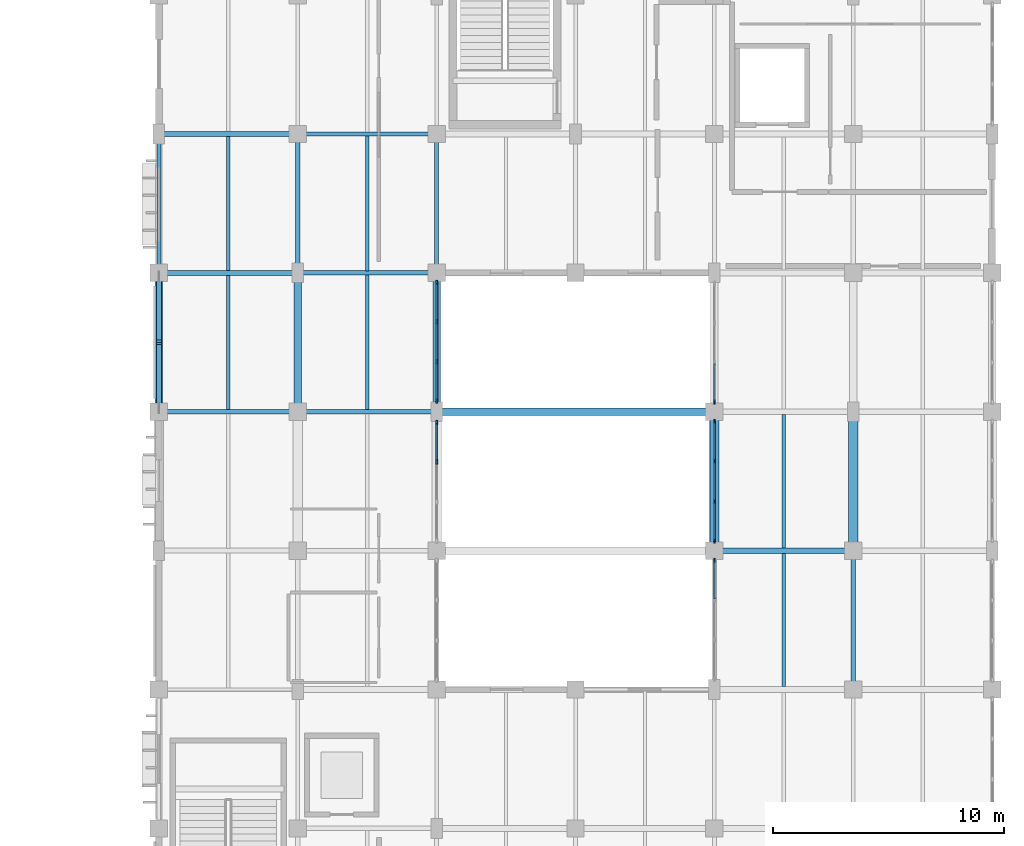
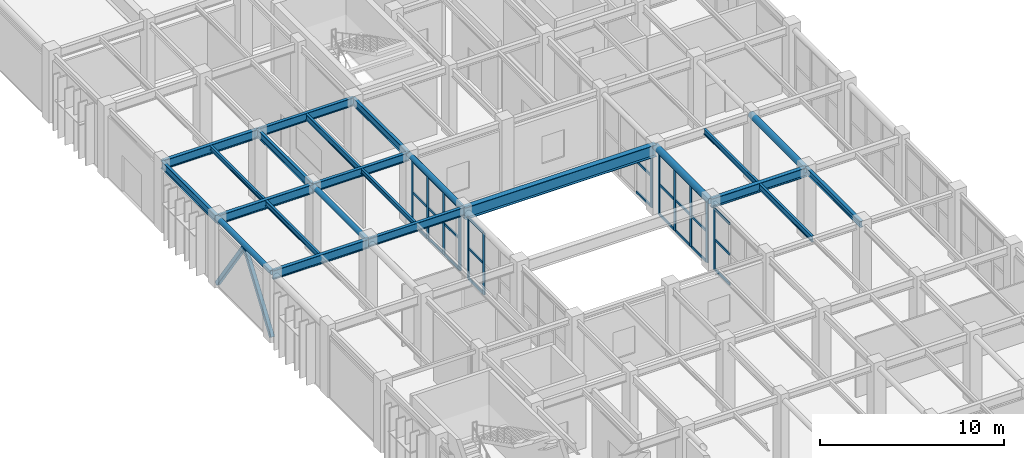
# One storey, part 10 of 76: 40 members, 23 beams, 5 elements without a shape of their own.
"""IFC4 building model written with IfcOpenShell, lengths in metres."""

from ifc_helpers import new_model, si_unit, direction, frame, origin, origin_2d, place, context, subcontext, project, spatial, rectangle, hollow_rectangle, hollow_circle, i_section, extrude, material, material_profile, profile_set, type_object, element, aggregate, save


model = new_model("IFC4")

# Units and contexts
model_context = context("Model", 3, precision=1e-05, world=origin(), true_north=direction((0.0, 1.0)))
body_context = subcontext(model_context, "Body", "Model", "MODEL_VIEW")
ifc_project = project(units=[si_unit("LENGTHUNIT", "METRE"), si_unit("AREAUNIT", "SQUARE_METRE"), si_unit("VOLUMEUNIT", "CUBIC_METRE"), si_unit("PLANEANGLEUNIT", "RADIAN"), si_unit("MASSUNIT", "GRAM", prefix="KILO")], contexts=[model_context])

# Site, building, storey
site_placement = place(None, origin())
site = spatial("IfcSite", under=ifc_project, at=site_placement, CompositionType="ELEMENT")
building_placement = place(site_placement, origin())
building = spatial("IfcBuilding", under=site, at=building_placement, Name="Varnakota Square Police Headquarters", CompositionType="ELEMENT")
storey_placement = place(building_placement, origin())
storey = spatial("IfcBuildingStorey", under=building, at=storey_placement, Name="L00", CompositionType="ELEMENT", Elevation=0.0)

# Beams
ifc_material_1 = material(Name="Steel IS 2062 Grade 350", Category="steel")
ifc_material_profile_1 = material_profile(ifc_material_1, hollow_circle(Radius=0.161865234375, WallThickness=0.0126953125, at=origin_2d()), Name="CHS 323.9x12.7")
ifc_profile_set_1 = profile_set([ifc_material_profile_1], Name="Steel IS 2062 Grade 350")
beam_type_1 = type_object("IfcBeamType", Name="BM-ARC-CHS324", PredefinedType="BEAM", material=ifc_profile_set_1)
for number, where, z_axis, x_axis, name in (
    (1, (6.0, 51.0, 4.337890625), (0.0, 1.0, 0.0), (-1.0, 0.0, 0.0), "BMG-L00-0939"),
    (2, (12.0, 51.0, 4.337890625), (0.0, 1.0, 0.0), (-1.0, 0.0, 0.0), "BMG-L00-0956"),
    (3, (18.0, 51.0, 4.337890625), (0.0, 1.0, 0.0), (-1.0, 0.0, 0.0), "BMG-L00-0970"),
):
    element("IfcBeam", number, at=place(storey_placement, frame(where, z_axis=z_axis, x_axis=x_axis)), inside=storey, type_object=beam_type_1, Name=name, PredefinedType="BEAM", context=body_context, shape_type="SweptSolid", body=[
        extrude(hollow_circle(Radius=0.161865234375, WallThickness=0.0126953125, at=origin_2d()), origin(), (0.0, 0.0, 1.0), 6.0),
    ])
ifc_material_profile_2 = material_profile(ifc_material_1, hollow_circle(Radius=0.203125, WallThickness=0.01611328125, at=origin_2d()), Name="CHS 406.4x16.0")
ifc_profile_set_2 = profile_set([ifc_material_profile_2], Name="Steel IS 2062 Grade 350")
beam_type_2 = type_object("IfcBeamType", Name="BM-ARC-CHS406", PredefinedType="BEAM", material=ifc_profile_set_2)
for number, where, z_axis, x_axis, name in (
    (4, (30.0, 45.0, 4.296875), (0.0, 1.0, 0.0), (-1.0, 0.0, 0.0), "BMG-L00-0991"),
    (5, (36.0, 45.0, 4.296875), (0.0, 1.0, 0.0), (-1.0, 0.0, 0.0), "BMG-L00-1005"),
):
    element("IfcBeam", number, at=place(storey_placement, frame(where, z_axis=z_axis, x_axis=x_axis)), inside=storey, type_object=beam_type_2, Name=name, PredefinedType="BEAM", context=body_context, shape_type="SweptSolid", body=[
        extrude(hollow_circle(Radius=0.203125, WallThickness=0.01611328125, at=origin_2d()), origin(), (0.0, 0.0, 1.0), 6.0),
    ])
ifc_material_profile_3 = material_profile(ifc_material_1, i_section(OverallWidth=0.320068359375, OverallDepth=0.800048828125, WebThickness=0.01611328125, FlangeThickness=0.028076171875, at=origin_2d()), Name="BPG 800x320")
ifc_profile_set_3 = profile_set([ifc_material_profile_3], Name="Steel IS 2062 Grade 350")
beam_type_3 = type_object("IfcBeamType", Name="BM-BPG800", PredefinedType="BEAM", material=ifc_profile_set_3)
beam_1_placement = place(storey_placement, frame((18.0, 51.0, 4.10009765625), z_axis=(1.0, 0.0, 0.0), x_axis=(0.0, 1.0, 0.0)))
element("IfcBeam", 6, at=beam_1_placement, inside=storey, type_object=beam_type_3, Name="BMG-L00-0800", PredefinedType="BEAM", context=body_context, shape_type="SweptSolid", body=[
    extrude(i_section(OverallWidth=0.320068359375, OverallDepth=0.800048828125, WebThickness=0.01611328125, FlangeThickness=0.028076171875, at=origin_2d()), origin(), (0.0, 0.0, 1.0), 12.0),
])
ifc_material_profile_4 = material_profile(ifc_material_1, i_section(OverallWidth=0.139892578125, OverallDepth=0.300048828125, WebThickness=0.0078125, FlangeThickness=0.01318359375, FilletRadius=0.013916015625, at=origin_2d()), Name="ISMB 300")
ifc_profile_set_4 = profile_set([ifc_material_profile_4], Name="Steel IS 2062 Grade 350")
beam_type_4 = type_object("IfcBeamType", Name="BM-ISMB300", PredefinedType="JOIST", material=ifc_profile_set_4)
beam_2_placement = place(storey_placement, frame((9.0, 57.10302734375, 4.35009765625), z_axis=(0.0, 1.0, 0.0), x_axis=(-1.0, 0.0, 0.0)))
element("IfcBeam", 7, at=beam_2_placement, inside=storey, type_object=beam_type_4, Name="BMG-L00-1184", PredefinedType="JOIST", context=body_context, shape_type="SweptSolid", body=[
    extrude(i_section(OverallWidth=0.139892578125, OverallDepth=0.300048828125, WebThickness=0.0078125, FlangeThickness=0.01318359375, FilletRadius=0.013916015625, at=origin_2d()), origin(), (0.0, 0.0, 1.0), 5.7939453125),
])
beam_3_placement = place(storey_placement, frame((15.0, 51.093017578125, 4.35009765625), z_axis=(0.0, 1.0, 0.0), x_axis=(-1.0, 0.0, 0.0)))
element("IfcBeam", 8, at=beam_3_placement, inside=storey, type_object=beam_type_4, Name="BMG-L00-1194", PredefinedType="JOIST", context=body_context, shape_type="SweptSolid", body=[
    extrude(i_section(OverallWidth=0.139892578125, OverallDepth=0.300048828125, WebThickness=0.0078125, FlangeThickness=0.01318359375, FilletRadius=0.013916015625, at=origin_2d()), origin(), (0.0, 0.0, 1.0), 5.81396484375),
])
ifc_material_profile_5 = material_profile(ifc_material_1, i_section(OverallWidth=0.139892578125, OverallDepth=0.35009765625, WebThickness=0.008056640625, FlangeThickness=0.01416015625, FilletRadius=0.013916015625, at=origin_2d()), Name="ISMB 350")
ifc_profile_set_5 = profile_set([ifc_material_profile_5], Name="Steel IS 2062 Grade 350")
beam_type_5 = type_object("IfcBeamType", Name="BM-ISMB350", PredefinedType="JOIST", material=ifc_profile_set_5)
beam_4_placement = place(storey_placement, frame((9.0, 51.10302734375, 4.324951171875), z_axis=(0.0, 1.0, 0.0), x_axis=(-1.0, 0.0, 0.0)))
element("IfcBeam", 9, at=beam_4_placement, inside=storey, type_object=beam_type_5, Name="BMG-L00-1183", PredefinedType="JOIST", context=body_context, shape_type="SweptSolid", body=[
    extrude(i_section(OverallWidth=0.139892578125, OverallDepth=0.35009765625, WebThickness=0.008056640625, FlangeThickness=0.01416015625, FilletRadius=0.013916015625, at=origin_2d()), origin(), (0.0, 0.0, 1.0), 5.7939453125),
])
beam_5_placement = place(storey_placement, frame((33.0, 45.123046875, 4.324951171875), z_axis=(0.0, 1.0, 0.0), x_axis=(-1.0, 0.0, 0.0)))
element("IfcBeam", 10, at=beam_5_placement, inside=storey, type_object=beam_type_5, Name="BMG-L00-1220", PredefinedType="JOIST", context=body_context, shape_type="SweptSolid", body=[
    extrude(i_section(OverallWidth=0.139892578125, OverallDepth=0.35009765625, WebThickness=0.008056640625, FlangeThickness=0.01416015625, FilletRadius=0.013916015625, at=origin_2d()), origin(), (0.0, 0.0, 1.0), 5.75390625),
])
ifc_material_profile_6 = material_profile(ifc_material_1, i_section(OverallWidth=0.139892578125, OverallDepth=0.39990234375, WebThickness=0.0087890625, FlangeThickness=0.01611328125, FilletRadius=0.013916015625, at=origin_2d()), Name="ISMB 400")
ifc_profile_set_6 = profile_set([ifc_material_profile_6], Name="Steel IS 2062 Grade 350")
beam_type_6 = type_object("IfcBeamType", Name="BM-ISMB400", PredefinedType="JOIST", material=ifc_profile_set_6)
beam_6_placement = place(storey_placement, frame((15.0, 57.093017578125, 4.300048828125), z_axis=(0.0, 1.0, 0.0), x_axis=(-1.0, 0.0, 0.0)))
element("IfcBeam", 11, at=beam_6_placement, inside=storey, type_object=beam_type_6, Name="BMG-L00-1195", PredefinedType="JOIST", context=body_context, shape_type="SweptSolid", body=[
    extrude(i_section(OverallWidth=0.139892578125, OverallDepth=0.39990234375, WebThickness=0.0087890625, FlangeThickness=0.01611328125, FilletRadius=0.013916015625, at=origin_2d()), origin(), (0.0, 0.0, 1.0), 5.81396484375),
])
beam_7_placement = place(storey_placement, frame((33.0, 39.123046875, 4.300048828125), z_axis=(0.0, 1.0, 0.0), x_axis=(-1.0, 0.0, 0.0)))
element("IfcBeam", 12, at=beam_7_placement, inside=storey, type_object=beam_type_6, Name="BMG-L00-1219", PredefinedType="JOIST", context=body_context, shape_type="SweptSolid", body=[
    extrude(i_section(OverallWidth=0.139892578125, OverallDepth=0.39990234375, WebThickness=0.0087890625, FlangeThickness=0.01611328125, FilletRadius=0.013916015625, at=origin_2d()), origin(), (0.0, 0.0, 1.0), 5.75390625),
])
ifc_material_profile_7 = material_profile(ifc_material_1, i_section(OverallWidth=0.179931640625, OverallDepth=0.5, WebThickness=0.01025390625, FlangeThickness=0.01708984375, FilletRadius=0.01708984375, at=origin_2d()), Name="ISMB 500")
ifc_profile_set_7 = profile_set([ifc_material_profile_7], Name="Steel IS 2062 Grade 350")
beam_type_7 = type_object("IfcBeamType", Name="BM-ISMB500", PredefinedType="BEAM", material=ifc_profile_set_7)
for number, where, z_axis, x_axis, name in (
    (13, (6.0, 57.0, 4.25), (0.0, 1.0, 0.0), (-1.0, 0.0, 0.0), "BMG-L00-0940"),
    (14, (12.0, 57.0, 4.25), (0.0, 1.0, 0.0), (-1.0, 0.0, 0.0), "BMG-L00-0957"),
    (15, (18.0, 57.0, 4.25), (0.0, 1.0, 0.0), (-1.0, 0.0, 0.0), "BMG-L00-0971"),
):
    element("IfcBeam", number, at=place(storey_placement, frame(where, z_axis=z_axis, x_axis=x_axis)), inside=storey, type_object=beam_type_7, Name=name, PredefinedType="BEAM", context=body_context, shape_type="SweptSolid", body=[
        extrude(i_section(OverallWidth=0.179931640625, OverallDepth=0.5, WebThickness=0.01025390625, FlangeThickness=0.01708984375, FilletRadius=0.01708984375, at=origin_2d()), origin(), (0.0, 0.0, 1.0), 6.0),
    ])
ifc_material_profile_8 = material_profile(ifc_material_1, i_section(OverallWidth=0.18994140625, OverallDepth=0.550048828125, WebThickness=0.01123046875, FlangeThickness=0.019287109375, FilletRadius=0.01806640625, at=origin_2d()), Name="ISMB 550")
ifc_profile_set_8 = profile_set([ifc_material_profile_8], Name="Steel IS 2062 Grade 350")
beam_type_8 = type_object("IfcBeamType", Name="BM-ISMB550", PredefinedType="BEAM", material=ifc_profile_set_8)
for number, where, z_axis, x_axis, name in (
    (16, (12.0, 51.0, 4.22509765625), (1.0, 0.0, 0.0), (0.0, 1.0, 0.0), "BMG-L00-0799"),
    (17, (12.0, 57.0, 4.22509765625), (1.0, 0.0, 0.0), (0.0, 1.0, 0.0), "BMG-L00-0804"),
    (18, (12.0, 63.0, 4.22509765625), (1.0, 0.0, 0.0), (0.0, 1.0, 0.0), "BMG-L00-0810"),
):
    element("IfcBeam", number, at=place(storey_placement, frame(where, z_axis=z_axis, x_axis=x_axis)), inside=storey, type_object=beam_type_8, Name=name, PredefinedType="BEAM", context=body_context, shape_type="SweptSolid", body=[
        extrude(i_section(OverallWidth=0.18994140625, OverallDepth=0.550048828125, WebThickness=0.01123046875, FlangeThickness=0.019287109375, FilletRadius=0.01806640625, at=origin_2d()), origin(), (0.0, 0.0, 1.0), 6.0),
    ])
ifc_material_profile_9 = material_profile(ifc_material_1, i_section(OverallWidth=0.2099609375, OverallDepth=0.60009765625, WebThickness=0.011962890625, FlangeThickness=0.020751953125, FilletRadius=0.02001953125, at=origin_2d()), Name="ISMB 600")
ifc_profile_set_9 = profile_set([ifc_material_profile_9], Name="Steel IS 2062 Grade 350")
beam_type_9 = type_object("IfcBeamType", Name="BM-ISMB600", PredefinedType="BEAM", material=ifc_profile_set_9)
for number, where, z_axis, x_axis, name in (
    (19, (6.0, 51.0, 4.199951171875), (1.0, 0.0, 0.0), (0.0, 1.0, 0.0), "BMG-L00-0798"),
    (20, (6.0, 57.0, 4.199951171875), (1.0, 0.0, 0.0), (0.0, 1.0, 0.0), "BMG-L00-0803"),
    (21, (6.0, 63.0, 4.199951171875), (1.0, 0.0, 0.0), (0.0, 1.0, 0.0), "BMG-L00-0809"),
):
    element("IfcBeam", number, at=place(storey_placement, frame(where, z_axis=z_axis, x_axis=x_axis)), inside=storey, type_object=beam_type_9, Name=name, PredefinedType="BEAM", context=body_context, shape_type="SweptSolid", body=[
        extrude(i_section(OverallWidth=0.2099609375, OverallDepth=0.60009765625, WebThickness=0.011962890625, FlangeThickness=0.020751953125, FilletRadius=0.02001953125, at=origin_2d()), origin(), (0.0, 0.0, 1.0), 6.0),
    ])
ifc_material_profile_10 = material_profile(ifc_material_1, i_section(OverallWidth=0.199951171875, OverallDepth=0.39990234375, WebThickness=0.008544921875, FlangeThickness=0.012939453125, FilletRadius=0.012939453125, at=origin_2d()), Name="ISWB 400")
ifc_profile_set_10 = profile_set([ifc_material_profile_10], Name="Steel IS 2062 Grade 350")
beam_type_10 = type_object("IfcBeamType", Name="BM-ISWB400", PredefinedType="BEAM", material=ifc_profile_set_10)
beam_8_placement = place(storey_placement, frame((36.0, 39.0, 4.300048828125), z_axis=(0.0, 1.0, 0.0), x_axis=(-1.0, 0.0, 0.0)))
element("IfcBeam", 22, at=beam_8_placement, inside=storey, type_object=beam_type_10, Name="BMG-L00-1004", PredefinedType="BEAM", context=body_context, shape_type="SweptSolid", body=[
    extrude(i_section(OverallWidth=0.199951171875, OverallDepth=0.39990234375, WebThickness=0.008544921875, FlangeThickness=0.012939453125, FilletRadius=0.012939453125, at=origin_2d()), origin(), (0.0, 0.0, 1.0), 6.0),
])
ifc_material_profile_11 = material_profile(ifc_material_1, i_section(OverallWidth=0.25, OverallDepth=0.60009765625, WebThickness=0.01171875, FlangeThickness=0.023681640625, FilletRadius=0.01708984375, at=origin_2d()), Name="ISWB 600")
ifc_profile_set_11 = profile_set([ifc_material_profile_11], Name="Steel IS 2062 Grade 350")
beam_type_11 = type_object("IfcBeamType", Name="BM-ISWB600", PredefinedType="BEAM", material=ifc_profile_set_11)
beam_9_placement = place(storey_placement, frame((30.0, 45.0, 4.199951171875), z_axis=(1.0, 0.0, 0.0), x_axis=(0.0, 1.0, 0.0)))
element("IfcBeam", 23, at=beam_9_placement, inside=storey, type_object=beam_type_11, Name="BMG-L00-0793", PredefinedType="BEAM", context=body_context, shape_type="SweptSolid", body=[
    extrude(i_section(OverallWidth=0.25, OverallDepth=0.60009765625, WebThickness=0.01171875, FlangeThickness=0.023681640625, FilletRadius=0.01708984375, at=origin_2d()), origin(), (0.0, 0.0, 1.0), 6.0),
])

# Curtain wall, member
ifc_material_2 = material(Name="Anodised Aluminium Framing", Category="aluminium")
curtain_wall_type = type_object("IfcCurtainWallType", Name="CW-SYS-F", PredefinedType="NOTDEFINED", material=ifc_material_2)
curtain_wall_1_placement = place(storey_placement, origin())
curtain_wall_1 = element("IfcCurtainWall", 24, at=curtain_wall_1_placement, inside=storey, type_object=curtain_wall_type, Name="Unitised curtain wall CWG-L00-135", PredefinedType="NOTDEFINED")
ifc_material_3 = material(Name="Anodised Aluminium 6063-T6", Category="aluminium")
ifc_material_profile_12 = material_profile(ifc_material_3, rectangle(XDim=0.074951171875, YDim=0.199951171875, at=origin_2d()), Name="ALU MULLION 75x200")
ifc_profile_set_12 = profile_set([ifc_material_profile_12], Name="Anodised Aluminium 6063-T6")
member_type_1 = type_object("IfcMemberType", Name="CWM-180", PredefinedType="MULLION", material=ifc_profile_set_12)
member_1_placement = place(storey_placement, frame((30.0, 44.58251953125, 0.0), z_axis=(0.0, 0.0, 1.0), x_axis=(-1.0, 0.0, 0.0)))
member_1 = element("IfcMember", 25, at=member_1_placement, type_object=member_type_1, Name="CWG-L00-135 mullion 4", PredefinedType="MULLION", context=body_context, shape_type="SweptSolid", body=[
    extrude(rectangle(XDim=0.074951171875, YDim=0.199951171875, at=origin_2d()), origin(), (0.0, 0.0, 1.0), 4.090087890625),
])

# Curtain wall, members
curtain_wall_2_placement = place(storey_placement, origin())
curtain_wall_2 = element("IfcCurtainWall", 26, at=curtain_wall_2_placement, inside=storey, type_object=curtain_wall_type, Name="Unitised curtain wall CWG-L00-136", PredefinedType="NOTDEFINED")
member_2_placement = place(storey_placement, frame((18.0, 48.840087890625, 0.0), z_axis=(0.0, 0.0, 1.0), x_axis=(-1.0, 0.0, 0.0)))
member_2 = element("IfcMember", 27, at=member_2_placement, type_object=member_type_1, Name="CWG-L00-136 mullion 3", PredefinedType="MULLION", context=body_context, shape_type="SweptSolid", body=[
    extrude(rectangle(XDim=0.074951171875, YDim=0.199951171875, at=origin_2d()), origin(), (0.0, 0.0, 1.0), 4.08349609375),
])
member_3_placement = place(storey_placement, frame((18.0, 50.532470703125, 0.0), z_axis=(0.0, 0.0, 1.0), x_axis=(-1.0, 0.0, 0.0)))
member_3 = element("IfcMember", 28, at=member_3_placement, type_object=member_type_1, Name="CWG-L00-136 mullion 4", PredefinedType="MULLION", context=body_context, shape_type="SweptSolid", body=[
    extrude(rectangle(XDim=0.074951171875, YDim=0.199951171875, at=origin_2d()), origin(), (0.0, 0.0, 1.0), 4.08349609375),
])

curtain_wall_3_placement = place(storey_placement, origin())
curtain_wall_3 = element("IfcCurtainWall", 29, at=curtain_wall_3_placement, inside=storey, type_object=curtain_wall_type, Name="Unitised curtain wall CWG-L00-137", PredefinedType="NOTDEFINED")
member_4_placement = place(storey_placement, frame((30.0, 45.41748046875, 0.0), z_axis=(0.0, 0.0, 1.0), x_axis=(-1.0, 0.0, 0.0)))
member_4 = element("IfcMember", 30, at=member_4_placement, type_object=member_type_1, Name="CWG-L00-137 mullion 1", PredefinedType="MULLION", context=body_context, shape_type="SweptSolid", body=[
    extrude(rectangle(XDim=0.074951171875, YDim=0.199951171875, at=origin_2d()), origin(), (0.0, 0.0, 1.0), 4.08349609375),
])
member_5_placement = place(storey_placement, frame((30.0, 47.126708984375, 0.0), z_axis=(0.0, 0.0, 1.0), x_axis=(-1.0, 0.0, 0.0)))
member_5 = element("IfcMember", 31, at=member_5_placement, type_object=member_type_1, Name="CWG-L00-137 mullion 2", PredefinedType="MULLION", context=body_context, shape_type="SweptSolid", body=[
    extrude(rectangle(XDim=0.074951171875, YDim=0.199951171875, at=origin_2d()), origin(), (0.0, 0.0, 1.0), 4.08349609375),
])
member_6_placement = place(storey_placement, frame((30.0, 48.873291015625, 0.0), z_axis=(0.0, 0.0, 1.0), x_axis=(-1.0, 0.0, 0.0)))
member_6 = element("IfcMember", 32, at=member_6_placement, type_object=member_type_1, Name="CWG-L00-137 mullion 3", PredefinedType="MULLION", context=body_context, shape_type="SweptSolid", body=[
    extrude(rectangle(XDim=0.074951171875, YDim=0.199951171875, at=origin_2d()), origin(), (0.0, 0.0, 1.0), 4.08349609375),
])
member_7_placement = place(storey_placement, frame((30.0, 50.58251953125, 0.0), z_axis=(0.0, 0.0, 1.0), x_axis=(-1.0, 0.0, 0.0)))
member_7 = element("IfcMember", 33, at=member_7_placement, type_object=member_type_1, Name="CWG-L00-137 mullion 4", PredefinedType="MULLION", context=body_context, shape_type="SweptSolid", body=[
    extrude(rectangle(XDim=0.074951171875, YDim=0.199951171875, at=origin_2d()), origin(), (0.0, 0.0, 1.0), 4.08349609375),
])

curtain_wall_4_placement = place(storey_placement, origin())
curtain_wall_4 = element("IfcCurtainWall", 34, at=curtain_wall_4_placement, inside=storey, type_object=curtain_wall_type, Name="Unitised curtain wall CWG-L00-138", PredefinedType="NOTDEFINED")
member_8_placement = place(storey_placement, frame((18.0, 51.467529296875, 0.0), z_axis=(0.0, 0.0, 1.0), x_axis=(-1.0, 0.0, 0.0)))
member_8 = element("IfcMember", 35, at=member_8_placement, type_object=member_type_1, Name="CWG-L00-138 mullion 1", PredefinedType="MULLION", context=body_context, shape_type="SweptSolid", body=[
    extrude(rectangle(XDim=0.074951171875, YDim=0.199951171875, at=origin_2d()), origin(), (0.0, 0.0, 1.0), 4.166015625),
])
member_9_placement = place(storey_placement, frame((18.0, 53.159912109375, 0.0), z_axis=(0.0, 0.0, 1.0), x_axis=(-1.0, 0.0, 0.0)))
member_9 = element("IfcMember", 36, at=member_9_placement, type_object=member_type_1, Name="CWG-L00-138 mullion 2", PredefinedType="MULLION", context=body_context, shape_type="SweptSolid", body=[
    extrude(rectangle(XDim=0.074951171875, YDim=0.199951171875, at=origin_2d()), origin(), (0.0, 0.0, 1.0), 4.166015625),
])
member_10_placement = place(storey_placement, frame((18.0, 54.889892578125, 0.0), z_axis=(0.0, 0.0, 1.0), x_axis=(-1.0, 0.0, 0.0)))
member_10 = element("IfcMember", 37, at=member_10_placement, type_object=member_type_1, Name="CWG-L00-138 mullion 3", PredefinedType="MULLION", context=body_context, shape_type="SweptSolid", body=[
    extrude(rectangle(XDim=0.074951171875, YDim=0.199951171875, at=origin_2d()), origin(), (0.0, 0.0, 1.0), 4.166015625),
])
member_11_placement = place(storey_placement, frame((18.0, 56.58251953125, 0.0), z_axis=(0.0, 0.0, 1.0), x_axis=(-1.0, 0.0, 0.0)))
member_11 = element("IfcMember", 38, at=member_11_placement, type_object=member_type_1, Name="CWG-L00-138 mullion 4", PredefinedType="MULLION", context=body_context, shape_type="SweptSolid", body=[
    extrude(rectangle(XDim=0.074951171875, YDim=0.199951171875, at=origin_2d()), origin(), (0.0, 0.0, 1.0), 4.166015625),
])

# Curtain wall, member
curtain_wall_5_placement = place(storey_placement, origin())
curtain_wall_5 = element("IfcCurtainWall", 39, at=curtain_wall_5_placement, inside=storey, type_object=curtain_wall_type, Name="Unitised curtain wall CWG-L00-139", PredefinedType="NOTDEFINED")
member_12_placement = place(storey_placement, frame((30.0, 51.41748046875, 0.0), z_axis=(0.0, 0.0, 1.0), x_axis=(-1.0, 0.0, 0.0)))
member_12 = element("IfcMember", 40, at=member_12_placement, type_object=member_type_1, Name="CWG-L00-139 mullion 1", PredefinedType="MULLION", context=body_context, shape_type="SweptSolid", body=[
    extrude(rectangle(XDim=0.074951171875, YDim=0.199951171875, at=origin_2d()), origin(), (0.0, 0.0, 1.0), 4.166015625),
])

# Member
ifc_material_profile_13 = material_profile(ifc_material_3, rectangle(XDim=0.074951171875, YDim=0.159912109375, at=origin_2d()), Name="ALU TRANSOM 75x160")
ifc_profile_set_13 = profile_set([ifc_material_profile_13], Name="Anodised Aluminium 6063-T6")
member_type_2 = type_object("IfcMemberType", Name="CWT-150", PredefinedType="USERDEFINED", material=ifc_profile_set_13)
member_13_placement = place(storey_placement, frame((30.0, 42.927490234375, 0.03759765625), z_axis=(0.0, 1.0, 0.0), x_axis=(-1.0, 0.0, 0.0)))
member_13 = element("IfcMember", 41, at=member_13_placement, type_object=member_type_2, Name="CWG-L00-135 transom 3.1", ObjectType="TRANSOM", PredefinedType="USERDEFINED", context=body_context, shape_type="SweptSolid", body=[
    extrude(rectangle(XDim=0.074951171875, YDim=0.159912109375, at=origin_2d()), origin(), (0.0, 0.0, 1.0), 1.617431640625),
])

member_14_placement = place(storey_placement, frame((30.0, 42.927490234375, 2.044921875), z_axis=(0.0, 1.0, 0.0), x_axis=(-1.0, 0.0, 0.0)))
member_14 = element("IfcMember", 42, at=member_14_placement, type_object=member_type_2, Name="CWG-L00-135 transom 3.2", ObjectType="TRANSOM", PredefinedType="USERDEFINED", context=body_context, shape_type="SweptSolid", body=[
    extrude(rectangle(XDim=0.074951171875, YDim=0.159912109375, at=origin_2d()), origin(), (0.0, 0.0, 1.0), 1.617431640625),
])

member_15_placement = place(storey_placement, frame((30.0, 42.927490234375, 4.052490234375), z_axis=(0.0, 1.0, 0.0), x_axis=(-1.0, 0.0, 0.0)))
member_15 = element("IfcMember", 43, at=member_15_placement, type_object=member_type_2, Name="CWG-L00-135 transom 3.3", ObjectType="TRANSOM", PredefinedType="USERDEFINED", context=body_context, shape_type="SweptSolid", body=[
    extrude(rectangle(XDim=0.074951171875, YDim=0.159912109375, at=origin_2d()), origin(), (0.0, 0.0, 1.0), 1.617431640625),
])

aggregate(curtain_wall_1, [member_1, member_13, member_14, member_15])

member_16_placement = place(storey_placement, frame((18.0, 48.87744140625, 0.03759765625), z_axis=(0.0, 1.0, 0.0), x_axis=(-1.0, 0.0, 0.0)))
member_16 = element("IfcMember", 44, at=member_16_placement, type_object=member_type_2, Name="CWG-L00-136 transom 3.1", ObjectType="TRANSOM", PredefinedType="USERDEFINED", context=body_context, shape_type="SweptSolid", body=[
    extrude(rectangle(XDim=0.074951171875, YDim=0.159912109375, at=origin_2d()), origin(), (0.0, 0.0, 1.0), 1.61767578125),
])

member_17_placement = place(storey_placement, frame((18.0, 48.87744140625, 2.041748046875), z_axis=(0.0, 1.0, 0.0), x_axis=(-1.0, 0.0, 0.0)))
member_17 = element("IfcMember", 45, at=member_17_placement, type_object=member_type_2, Name="CWG-L00-136 transom 3.2", ObjectType="TRANSOM", PredefinedType="USERDEFINED", context=body_context, shape_type="SweptSolid", body=[
    extrude(rectangle(XDim=0.074951171875, YDim=0.159912109375, at=origin_2d()), origin(), (0.0, 0.0, 1.0), 1.61767578125),
])

member_18_placement = place(storey_placement, frame((18.0, 48.87744140625, 4.046142578125), z_axis=(0.0, 1.0, 0.0), x_axis=(-1.0, 0.0, 0.0)))
member_18 = element("IfcMember", 46, at=member_18_placement, type_object=member_type_2, Name="CWG-L00-136 transom 3.3", ObjectType="TRANSOM", PredefinedType="USERDEFINED", context=body_context, shape_type="SweptSolid", body=[
    extrude(rectangle(XDim=0.074951171875, YDim=0.159912109375, at=origin_2d()), origin(), (0.0, 0.0, 1.0), 1.61767578125),
])

aggregate(curtain_wall_2, [member_2, member_3, member_16, member_17, member_18])

member_19_placement = place(storey_placement, frame((30.0, 45.455078125, 0.03759765625), z_axis=(0.0, 1.0, 0.0), x_axis=(-1.0, 0.0, 0.0)))
member_19 = element("IfcMember", 47, at=member_19_placement, type_object=member_type_2, Name="CWG-L00-137 transom 1.1", ObjectType="TRANSOM", PredefinedType="USERDEFINED", context=body_context, shape_type="SweptSolid", body=[
    extrude(rectangle(XDim=0.074951171875, YDim=0.159912109375, at=origin_2d()), origin(), (0.0, 0.0, 1.0), 1.634033203125),
])

member_20_placement = place(storey_placement, frame((30.0, 45.455078125, 2.041748046875), z_axis=(0.0, 1.0, 0.0), x_axis=(-1.0, 0.0, 0.0)))
member_20 = element("IfcMember", 48, at=member_20_placement, type_object=member_type_2, Name="CWG-L00-137 transom 1.2", ObjectType="TRANSOM", PredefinedType="USERDEFINED", context=body_context, shape_type="SweptSolid", body=[
    extrude(rectangle(XDim=0.074951171875, YDim=0.159912109375, at=origin_2d()), origin(), (0.0, 0.0, 1.0), 1.634033203125),
])

member_21_placement = place(storey_placement, frame((30.0, 45.455078125, 4.046142578125), z_axis=(0.0, 1.0, 0.0), x_axis=(-1.0, 0.0, 0.0)))
member_21 = element("IfcMember", 49, at=member_21_placement, type_object=member_type_2, Name="CWG-L00-137 transom 1.3", ObjectType="TRANSOM", PredefinedType="USERDEFINED", context=body_context, shape_type="SweptSolid", body=[
    extrude(rectangle(XDim=0.074951171875, YDim=0.159912109375, at=origin_2d()), origin(), (0.0, 0.0, 1.0), 1.634033203125),
])

member_22_placement = place(storey_placement, frame((30.0, 47.1640625, 0.03759765625), z_axis=(0.0, 1.0, 0.0), x_axis=(-1.0, 0.0, 0.0)))
member_22 = element("IfcMember", 50, at=member_22_placement, type_object=member_type_2, Name="CWG-L00-137 transom 2.1", ObjectType="TRANSOM", PredefinedType="USERDEFINED", context=body_context, shape_type="SweptSolid", body=[
    extrude(rectangle(XDim=0.074951171875, YDim=0.159912109375, at=origin_2d()), origin(), (0.0, 0.0, 1.0), 1.671875),
])

member_23_placement = place(storey_placement, frame((30.0, 47.1640625, 2.041748046875), z_axis=(0.0, 1.0, 0.0), x_axis=(-1.0, 0.0, 0.0)))
member_23 = element("IfcMember", 51, at=member_23_placement, type_object=member_type_2, Name="CWG-L00-137 transom 2.2", ObjectType="TRANSOM", PredefinedType="USERDEFINED", context=body_context, shape_type="SweptSolid", body=[
    extrude(rectangle(XDim=0.074951171875, YDim=0.159912109375, at=origin_2d()), origin(), (0.0, 0.0, 1.0), 1.671875),
])

member_24_placement = place(storey_placement, frame((30.0, 47.1640625, 4.046142578125), z_axis=(0.0, 1.0, 0.0), x_axis=(-1.0, 0.0, 0.0)))
member_24 = element("IfcMember", 52, at=member_24_placement, type_object=member_type_2, Name="CWG-L00-137 transom 2.3", ObjectType="TRANSOM", PredefinedType="USERDEFINED", context=body_context, shape_type="SweptSolid", body=[
    extrude(rectangle(XDim=0.074951171875, YDim=0.159912109375, at=origin_2d()), origin(), (0.0, 0.0, 1.0), 1.671875),
])

member_25_placement = place(storey_placement, frame((30.0, 48.910888671875, 0.03759765625), z_axis=(0.0, 1.0, 0.0), x_axis=(-1.0, 0.0, 0.0)))
member_25 = element("IfcMember", 53, at=member_25_placement, type_object=member_type_2, Name="CWG-L00-137 transom 3.1", ObjectType="TRANSOM", PredefinedType="USERDEFINED", context=body_context, shape_type="SweptSolid", body=[
    extrude(rectangle(XDim=0.074951171875, YDim=0.159912109375, at=origin_2d()), origin(), (0.0, 0.0, 1.0), 1.634033203125),
])

member_26_placement = place(storey_placement, frame((30.0, 48.910888671875, 2.041748046875), z_axis=(0.0, 1.0, 0.0), x_axis=(-1.0, 0.0, 0.0)))
member_26 = element("IfcMember", 54, at=member_26_placement, type_object=member_type_2, Name="CWG-L00-137 transom 3.2", ObjectType="TRANSOM", PredefinedType="USERDEFINED", context=body_context, shape_type="SweptSolid", body=[
    extrude(rectangle(XDim=0.074951171875, YDim=0.159912109375, at=origin_2d()), origin(), (0.0, 0.0, 1.0), 1.634033203125),
])

member_27_placement = place(storey_placement, frame((30.0, 48.910888671875, 4.046142578125), z_axis=(0.0, 1.0, 0.0), x_axis=(-1.0, 0.0, 0.0)))
member_27 = element("IfcMember", 55, at=member_27_placement, type_object=member_type_2, Name="CWG-L00-137 transom 3.3", ObjectType="TRANSOM", PredefinedType="USERDEFINED", context=body_context, shape_type="SweptSolid", body=[
    extrude(rectangle(XDim=0.074951171875, YDim=0.159912109375, at=origin_2d()), origin(), (0.0, 0.0, 1.0), 1.634033203125),
])

aggregate(curtain_wall_3, [member_4, member_5, member_6, member_7, member_19, member_20, member_21, member_22, member_23, member_24, member_25, member_26, member_27])

member_28_placement = place(storey_placement, frame((18.0, 51.5048828125, 0.03759765625), z_axis=(0.0, 1.0, 0.0), x_axis=(-1.0, 0.0, 0.0)))
member_28 = element("IfcMember", 56, at=member_28_placement, type_object=member_type_2, Name="CWG-L00-138 transom 1.1", ObjectType="TRANSOM", PredefinedType="USERDEFINED", context=body_context, shape_type="SweptSolid", body=[
    extrude(rectangle(XDim=0.074951171875, YDim=0.159912109375, at=origin_2d()), origin(), (0.0, 0.0, 1.0), 1.61767578125),
])

member_29_placement = place(storey_placement, frame((18.0, 51.5048828125, 2.0830078125), z_axis=(0.0, 1.0, 0.0), x_axis=(-1.0, 0.0, 0.0)))
member_29 = element("IfcMember", 57, at=member_29_placement, type_object=member_type_2, Name="CWG-L00-138 transom 1.2", ObjectType="TRANSOM", PredefinedType="USERDEFINED", context=body_context, shape_type="SweptSolid", body=[
    extrude(rectangle(XDim=0.074951171875, YDim=0.159912109375, at=origin_2d()), origin(), (0.0, 0.0, 1.0), 1.61767578125),
])

member_30_placement = place(storey_placement, frame((18.0, 51.5048828125, 4.128662109375), z_axis=(0.0, 1.0, 0.0), x_axis=(-1.0, 0.0, 0.0)))
member_30 = element("IfcMember", 58, at=member_30_placement, type_object=member_type_2, Name="CWG-L00-138 transom 1.3", ObjectType="TRANSOM", PredefinedType="USERDEFINED", context=body_context, shape_type="SweptSolid", body=[
    extrude(rectangle(XDim=0.074951171875, YDim=0.159912109375, at=origin_2d()), origin(), (0.0, 0.0, 1.0), 1.61767578125),
])

member_31_placement = place(storey_placement, frame((18.0, 53.197509765625, 0.03759765625), z_axis=(0.0, 1.0, 0.0), x_axis=(-1.0, 0.0, 0.0)))
member_31 = element("IfcMember", 59, at=member_31_placement, type_object=member_type_2, Name="CWG-L00-138 transom 2.1", ObjectType="TRANSOM", PredefinedType="USERDEFINED", context=body_context, shape_type="SweptSolid", body=[
    extrude(rectangle(XDim=0.074951171875, YDim=0.159912109375, at=origin_2d()), origin(), (0.0, 0.0, 1.0), 1.655029296875),
])

member_32_placement = place(storey_placement, frame((18.0, 53.197509765625, 2.0830078125), z_axis=(0.0, 1.0, 0.0), x_axis=(-1.0, 0.0, 0.0)))
member_32 = element("IfcMember", 60, at=member_32_placement, type_object=member_type_2, Name="CWG-L00-138 transom 2.2", ObjectType="TRANSOM", PredefinedType="USERDEFINED", context=body_context, shape_type="SweptSolid", body=[
    extrude(rectangle(XDim=0.074951171875, YDim=0.159912109375, at=origin_2d()), origin(), (0.0, 0.0, 1.0), 1.655029296875),
])

member_33_placement = place(storey_placement, frame((18.0, 53.197509765625, 4.128662109375), z_axis=(0.0, 1.0, 0.0), x_axis=(-1.0, 0.0, 0.0)))
member_33 = element("IfcMember", 61, at=member_33_placement, type_object=member_type_2, Name="CWG-L00-138 transom 2.3", ObjectType="TRANSOM", PredefinedType="USERDEFINED", context=body_context, shape_type="SweptSolid", body=[
    extrude(rectangle(XDim=0.074951171875, YDim=0.159912109375, at=origin_2d()), origin(), (0.0, 0.0, 1.0), 1.655029296875),
])

member_34_placement = place(storey_placement, frame((18.0, 54.927490234375, 0.03759765625), z_axis=(0.0, 1.0, 0.0), x_axis=(-1.0, 0.0, 0.0)))
member_34 = element("IfcMember", 62, at=member_34_placement, type_object=member_type_2, Name="CWG-L00-138 transom 3.1", ObjectType="TRANSOM", PredefinedType="USERDEFINED", context=body_context, shape_type="SweptSolid", body=[
    extrude(rectangle(XDim=0.074951171875, YDim=0.159912109375, at=origin_2d()), origin(), (0.0, 0.0, 1.0), 1.617431640625),
])

member_35_placement = place(storey_placement, frame((18.0, 54.927490234375, 2.0830078125), z_axis=(0.0, 1.0, 0.0), x_axis=(-1.0, 0.0, 0.0)))
member_35 = element("IfcMember", 63, at=member_35_placement, type_object=member_type_2, Name="CWG-L00-138 transom 3.2", ObjectType="TRANSOM", PredefinedType="USERDEFINED", context=body_context, shape_type="SweptSolid", body=[
    extrude(rectangle(XDim=0.074951171875, YDim=0.159912109375, at=origin_2d()), origin(), (0.0, 0.0, 1.0), 1.617431640625),
])

member_36_placement = place(storey_placement, frame((18.0, 54.927490234375, 4.128662109375), z_axis=(0.0, 1.0, 0.0), x_axis=(-1.0, 0.0, 0.0)))
member_36 = element("IfcMember", 64, at=member_36_placement, type_object=member_type_2, Name="CWG-L00-138 transom 3.3", ObjectType="TRANSOM", PredefinedType="USERDEFINED", context=body_context, shape_type="SweptSolid", body=[
    extrude(rectangle(XDim=0.074951171875, YDim=0.159912109375, at=origin_2d()), origin(), (0.0, 0.0, 1.0), 1.617431640625),
])

aggregate(curtain_wall_4, [member_8, member_9, member_10, member_11, member_28, member_29, member_30, member_31, member_32, member_33, member_34, member_35, member_36])

member_37_placement = place(storey_placement, frame((30.0, 51.455078125, 0.03759765625), z_axis=(0.0, 1.0, 0.0), x_axis=(-1.0, 0.0, 0.0)))
member_37 = element("IfcMember", 65, at=member_37_placement, type_object=member_type_2, Name="CWG-L00-139 transom 1.1", ObjectType="TRANSOM", PredefinedType="USERDEFINED", context=body_context, shape_type="SweptSolid", body=[
    extrude(rectangle(XDim=0.074951171875, YDim=0.159912109375, at=origin_2d()), origin(), (0.0, 0.0, 1.0), 1.617431640625),
])

member_38_placement = place(storey_placement, frame((30.0, 51.455078125, 2.0830078125), z_axis=(0.0, 1.0, 0.0), x_axis=(-1.0, 0.0, 0.0)))
member_38 = element("IfcMember", 66, at=member_38_placement, type_object=member_type_2, Name="CWG-L00-139 transom 1.2", ObjectType="TRANSOM", PredefinedType="USERDEFINED", context=body_context, shape_type="SweptSolid", body=[
    extrude(rectangle(XDim=0.074951171875, YDim=0.159912109375, at=origin_2d()), origin(), (0.0, 0.0, 1.0), 1.617431640625),
])

aggregate(curtain_wall_5, [member_12, member_37, member_38])

# Members
ifc_material_profile_14 = material_profile(ifc_material_1, hollow_rectangle(XDim=0.25, YDim=0.25, WallThickness=0.011962890625, InnerFilletRadius=0.011962890625, OuterFilletRadius=0.02392578125, at=origin_2d()), Name="SHS 250x250x12")
ifc_profile_set_14 = profile_set([ifc_material_profile_14], Name="Steel IS 2062 Grade 350")
member_type_3 = type_object("IfcMemberType", Name="MEM-BR-SHS250", PredefinedType="BRACE", material=ifc_profile_set_14)
for number, where, z_axis, x_axis, name in (
    (67, (6.0, 51.050048828125, 0.02001953125), (0.0, 0.57202533685, 0.8202359502), (-1.0, 0.0, 0.0), "Lateral brace BF4 L00 left"),
    (68, (6.0, 56.949951171875, 0.02001953125), (0.0, -0.57202533685, 0.8202359502), (1.0, 0.0, 0.0), "Lateral brace BF4 L00 right"),
):
    element("IfcMember", number, at=place(storey_placement, frame(where, z_axis=z_axis, x_axis=x_axis)), inside=storey, type_object=member_type_3, Name=name, PredefinedType="BRACE", context=body_context, shape_type="SweptSolid", body=[
        extrude(hollow_rectangle(XDim=0.25, YDim=0.25, WallThickness=0.011962890625, InnerFilletRadius=0.011962890625, OuterFilletRadius=0.02392578125, at=origin_2d()), origin(), (0.0, 0.0, 1.0), 5.156982421875),
    ])

save(model, "model.ifc")
